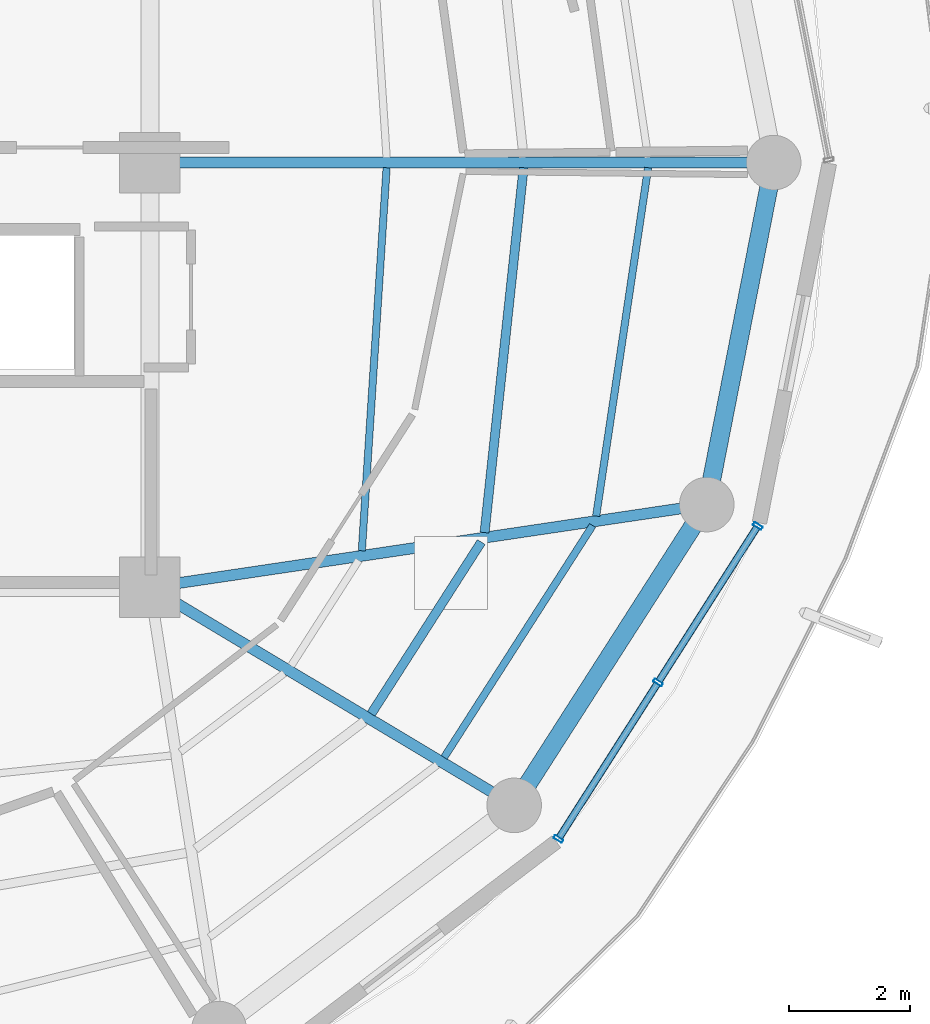
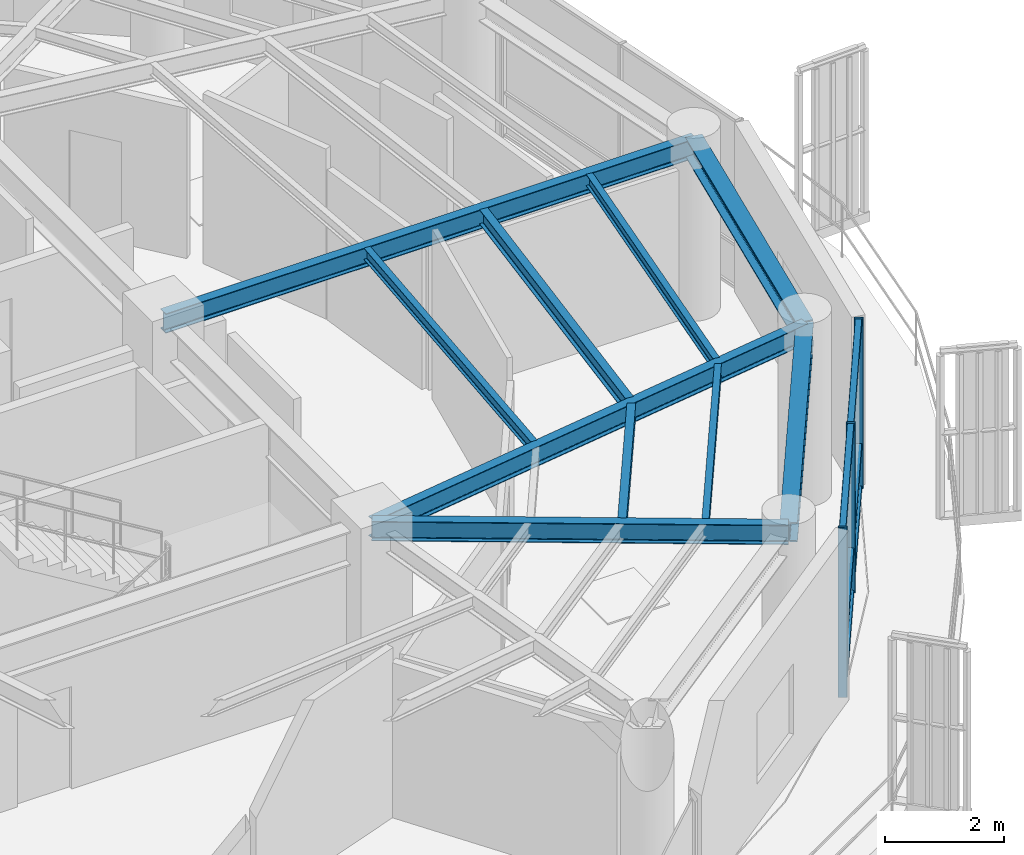
# One storey, part 9 of 22: 10 beams, 9 members, 1 element without a shape of its own.
"""IFC4 building model written with IfcOpenShell, lengths in metres."""

import ifcopenshell
import ifcopenshell.guid

model = None  # the IFC model being written
_history = None  # IfcOwnerHistory: only IFC2X3 demands one
_inside = {}  # id of a spatial element -> (the spatial element, [elements in it])
_under = {}  # id of a project, library or spatial element -> (it, [spatial elements below it])
_declared = {}  # id of a project -> (the project, [libraries it declares])
_typed = {}  # id of a type object -> (the type object, [elements of that type])
_made_of = {}  # id of a material, layer set ... -> (it, [elements and type objects made of it])


def new_model(schema):
    """Start an empty IFC model of exactly this schema.

    Asked for "IFC4X3", IfcOpenShell would pick the latest addendum, in which some entities
    have other attributes; the version numbers below select the first issue.
    IFC2X3 requires an IfcOwnerHistory on every rooted entity: one is made here for all.
    """
    global model, _history
    if schema == "IFC4X3":
        model = ifcopenshell.file(schema_version=(4, 3, 0, 0))
    else:
        model = ifcopenshell.file(schema=schema)
    _inside.clear()
    _under.clear()
    _declared.clear()
    _typed.clear()
    _made_of.clear()
    _history = None
    if model.schema == "IFC2X3":
        org = make("IfcOrganization", Name="unknown")
        user = make(
            "IfcPersonAndOrganization",
            ThePerson=make("IfcPerson", FamilyName="unknown"),
            TheOrganization=org,
        )
        app = make(
            "IfcApplication",
            ApplicationDeveloper=org,
            Version="unknown",
            ApplicationFullName="unknown",
            ApplicationIdentifier="unknown",
        )
        _history = make(
            "IfcOwnerHistory",
            OwningUser=user,
            OwningApplication=app,
            ChangeAction="ADDED",
            CreationDate=0,
        )
    return model


def make(cls, **values):
    """One entity of the class cls with the attributes given. An attribute that is None is left unset."""
    return model.create_entity(
        cls, **{name: value for name, value in values.items() if value is not None}
    )


def rooted(cls, **values):
    """An entity with a GlobalId (a new one), such as an element, a storey or a relation."""
    return make(cls, GlobalId=ifcopenshell.guid.new(), OwnerHistory=_history, **values)


def si_unit(unit_type, name, prefix=None):
    """IfcSIUnit, for example si_unit("LENGTHUNIT", "METRE", prefix="MILLI")."""
    return make("IfcSIUnit", UnitType=unit_type, Prefix=prefix, Name=name)


def assignment(units):
    """IfcUnitAssignment: the units of a project."""
    return None if units is None else make("IfcUnitAssignment", Units=units)


def point(xyz):
    """IfcCartesianPoint."""
    return None if xyz is None else make("IfcCartesianPoint", Coordinates=xyz)


def direction(xyz):
    """IfcDirection."""
    return None if xyz is None else make("IfcDirection", DirectionRatios=xyz)


def frame(location, z_axis=None, x_axis=None):
    """IfcAxis2Placement3D, a coordinate frame: its origin and axes. An axis left out is left unset."""
    return make(
        "IfcAxis2Placement3D",
        Location=point(location),
        Axis=direction(z_axis),
        RefDirection=direction(x_axis),
    )


def frame_2d(location, x_axis=None):
    """IfcAxis2Placement2D, a coordinate frame in the plane: its origin and x axis."""
    return make(
        "IfcAxis2Placement2D", Location=point(location), RefDirection=direction(x_axis)
    )


def origin():
    """The frame at (0, 0, 0) with its axes left unset."""
    return frame((0.0, 0.0, 0.0))


def origin_2d():
    """The frame at (0, 0) in the plane with its x axis left unset."""
    return frame_2d((0.0, 0.0))


def place(relative_to, where):
    """IfcLocalPlacement: puts the frame where relative to a parent placement (None: the world)."""
    return make(
        "IfcLocalPlacement", PlacementRelTo=relative_to, RelativePlacement=where
    )


def context(
    kind, dimensions, precision=None, world=None, true_north=None, identifier=None
):
    """IfcGeometricRepresentationContext, for example the 3D "Model" context."""
    return make(
        "IfcGeometricRepresentationContext",
        ContextIdentifier=identifier,
        ContextType=kind,
        CoordinateSpaceDimension=dimensions,
        Precision=precision,
        WorldCoordinateSystem=world,
        TrueNorth=true_north,
    )


def subcontext(parent, identifier, kind, view, scale=None):
    """IfcGeometricRepresentationSubContext, for example "Body" below "Model"."""
    return make(
        "IfcGeometricRepresentationSubContext",
        ContextIdentifier=identifier,
        ContextType=kind,
        ParentContext=parent,
        TargetScale=scale,
        TargetView=view,
    )


def project(units=None, contexts=None):
    """IfcProject with its units and contexts."""
    return rooted(
        "IfcProject",
        Name="project",
        RepresentationContexts=contexts,
        UnitsInContext=assignment(units),
    )


def spatial(cls, under=None, at=None, **own):
    """A site, building, storey or space (cls), placed at a placement, below another one or the project."""
    s = rooted(cls, ObjectPlacement=at, **own)
    if under is not None:
        _under.setdefault(under.id(), (under, []))[1].append(s)
    return s


def profile(cls, at=None, kind="AREA", **sizes):
    """A parametric profile (cls). Its sizes go by their IFC names, for example OverallWidth=200.0."""
    return make(cls, ProfileType=kind, Position=at, **sizes)


def hollow_rectangle(**sizes):
    """IfcRectangleHollowProfileDef."""
    return profile("IfcRectangleHollowProfileDef", **sizes)


def i_section(**sizes):
    """IfcIShapeProfileDef."""
    return profile("IfcIShapeProfileDef", **sizes)


def extrude(swept, where, along, depth):
    """IfcExtrudedAreaSolid: the profile swept, set in the frame where, extruded along a direction by depth."""
    return make(
        "IfcExtrudedAreaSolid",
        SweptArea=swept,
        Position=where,
        ExtrudedDirection=direction(along),
        Depth=depth,
    )


def shape(context_of_items, identifier, shape_type, items):
    """IfcShapeRepresentation: the items that make up one representation, for example the "Body"."""
    return make(
        "IfcShapeRepresentation",
        ContextOfItems=context_of_items,
        RepresentationIdentifier=identifier,
        RepresentationType=shape_type,
        Items=items,
    )


def material(Name=None, Category=None):
    """IfcMaterial."""
    return make("IfcMaterial", Name=Name, Category=Category)


def layer(
    of_material, thickness, ventilated=None, Name=None, Category=None, Priority=None
):
    """IfcMaterialLayer: one layer of a wall or slab, of a material (None: an air gap)."""
    return make(
        "IfcMaterialLayer",
        Material=of_material,
        LayerThickness=thickness,
        IsVentilated=ventilated,
        Name=Name,
        Category=Category,
        Priority=Priority,
    )


def layer_set(layers, Name=None):
    """IfcMaterialLayerSet."""
    return make("IfcMaterialLayerSet", MaterialLayers=layers, LayerSetName=Name)


def material_profile(
    of_material, cross_section, Name=None, Category=None, Priority=None
):
    """IfcMaterialProfile: a cross section and its material."""
    return make(
        "IfcMaterialProfile",
        Name=Name,
        Material=of_material,
        Profile=cross_section,
        Priority=Priority,
        Category=Category,
    )


def profile_set(profiles, Name=None, composite=None):
    """IfcMaterialProfileSet."""
    return make(
        "IfcMaterialProfileSet",
        Name=Name,
        MaterialProfiles=profiles,
        CompositeProfile=composite,
    )


def made_of(thing, what):
    """Note that an element or type object is made of a material, layer set ...; save() writes the relation."""
    if what is not None:
        _made_of.setdefault(what.id(), (what, []))[1].append(thing)
    return thing


def type_object(cls, material=None, **own):
    """A type object (cls), such as IfcWallType, which elements share."""
    return made_of(rooted(cls, **own), material)


def element(
    cls,
    number,
    at=None,
    inside=None,
    cuts=None,
    type_object=None,
    material=None,
    context=None,
    identifier="Body",
    shape_type=None,
    held_by="IfcProductDefinitionShape",
    body=None,
    shapes=None,
    **own,
):
    """One element of the class cls, such as IfcWall. Its Tag is "e" and its number.

    at: its placement. inside: the storey or other place that contains it. cuts: it is an
    opening in that element (IfcRelVoidsElement). A single representation is given by context,
    identifier, shape_type and body (its items); several are given by shapes. held_by: the class
    of the entity that holds the representations. save() writes the other relations.
    """
    e = rooted(cls, Tag="e%d" % number, ObjectPlacement=at, **own)
    if body is not None:
        shapes = [shape(context, identifier, shape_type, body)]
    if shapes is not None:
        e.Representation = make(held_by, Representations=shapes)
    if inside is not None:
        _inside.setdefault(inside.id(), (inside, []))[1].append(e)
    if cuts is not None:
        rooted(
            "IfcRelVoidsElement", RelatingBuildingElement=cuts, RelatedOpeningElement=e
        )
    if type_object is not None:
        _typed.setdefault(type_object.id(), (type_object, []))[1].append(e)
    return made_of(e, material)


def aggregate(whole, parts):
    """IfcRelAggregates: a whole, such as a stair, and the parts it consists of."""
    return rooted("IfcRelAggregates", RelatingObject=whole, RelatedObjects=parts)


def save(model, path):
    """Write the relations noted so far, then the file.

    IfcRelAggregates (storeys below a building ...), IfcRelContainedInSpatialStructure (elements
    in a storey), IfcRelDefinesByType, IfcRelAssociatesMaterial and IfcRelDeclares: one each for
    every whole, place, type object, material and project.
    """
    for whole, parts in _under.values():
        aggregate(whole, parts)
    for where, things in _inside.values():
        rooted(
            "IfcRelContainedInSpatialStructure",
            RelatedElements=things,
            RelatingStructure=where,
        )
    for kind, things in _typed.values():
        rooted("IfcRelDefinesByType", RelatedObjects=things, RelatingType=kind)
    for what, things in _made_of.values():
        rooted("IfcRelAssociatesMaterial", RelatedObjects=things, RelatingMaterial=what)
    for by, libraries in _declared.values():
        rooted("IfcRelDeclares", RelatingContext=by, RelatedDefinitions=libraries)
    model.write(path)


model = new_model("IFC4")

# Units and contexts
model_context = context("Model", 3, precision=1e-05, world=origin(), true_north=direction((0.0, 1.0)))
body_context = subcontext(model_context, "Body", "Model", "MODEL_VIEW")
ifc_project = project(units=[si_unit("LENGTHUNIT", "METRE"), si_unit("AREAUNIT", "SQUARE_METRE"), si_unit("VOLUMEUNIT", "CUBIC_METRE"), si_unit("PLANEANGLEUNIT", "RADIAN"), si_unit("MASSUNIT", "GRAM", prefix="KILO")], contexts=[model_context])

# Site, building, storey
site_placement = place(None, origin())
site = spatial("IfcSite", under=ifc_project, at=site_placement, CompositionType="ELEMENT")
building_placement = place(site_placement, origin())
building = spatial("IfcBuilding", under=site, at=building_placement, Name="Kelanora Arch Commons", CompositionType="ELEMENT")
storey_placement = place(building_placement, frame((0.0, 0.0, 271.199951171875)))
storey = spatial("IfcBuildingStorey", under=building, at=storey_placement, Name="L69", CompositionType="ELEMENT", Elevation=271.199951171875)

# Beams
ifc_material_1 = material(Name="Steel S355", Category="steel")
ifc_material_profile_1 = material_profile(ifc_material_1, i_section(OverallWidth=0.14990234375, OverallDepth=0.300048828125, WebThickness=0.007080078125, FlangeThickness=0.0107421875, FilletRadius=0.014892578125, at=origin_2d()), Name="IPE300")
ifc_profile_set_1 = profile_set([ifc_material_profile_1], Name="Steel S355")
beam_type_1 = type_object("IfcBeamType", Name="BM-JST-01", PredefinedType="JOIST", material=ifc_profile_set_1)
beam_1_placement = place(storey_placement, frame((85.647705078125, 48.915771484375, 3.340087890625), z_axis=(0.539321586177, 0.842099891155, 0.0), x_axis=(-0.842099891155, 0.539321586177, 0.0)))
element("IfcBeam", 1, at=beam_1_placement, inside=storey, type_object=beam_type_1, Name="Secondary Chord Joist BJB-32 L69", PredefinedType="JOIST", context=body_context, shape_type="SweptSolid", body=[
    extrude(i_section(OverallWidth=0.14990234375, OverallDepth=0.300048828125, WebThickness=0.007080078125, FlangeThickness=0.0107421875, FilletRadius=0.014892578125, at=origin_2d()), origin(), (0.0, 0.0, 1.0), 3.361572265625),
])
beam_2_placement = place(storey_placement, frame((87.515625, 51.902587890625, 3.340087890625), z_axis=(0.106380594087, 0.994325484538, 0.0), x_axis=(-0.994325484538, 0.106380594087, 0.0)))
element("IfcBeam", 2, at=beam_2_placement, inside=storey, type_object=beam_type_1, Name="Secondary Chord Joist BJB-34 L69", PredefinedType="JOIST", context=body_context, shape_type="SweptSolid", body=[
    extrude(i_section(OverallWidth=0.14990234375, OverallDepth=0.300048828125, WebThickness=0.007080078125, FlangeThickness=0.0107421875, FilletRadius=0.014892578125, at=origin_2d()), origin(), (0.0, 0.0, 1.0), 6.04736328125),
])
ifc_material_profile_2 = material_profile(ifc_material_1, i_section(OverallWidth=0.1201171875, OverallDepth=0.239990234375, WebThickness=0.006103515625, FlangeThickness=0.009765625, FilletRadius=0.014892578125, at=origin_2d()), Name="IPE240")
ifc_profile_set_2 = profile_set([ifc_material_profile_2], Name="Steel S355")
beam_type_2 = type_object("IfcBeamType", Name="BM-JST-02", PredefinedType="JOIST", material=ifc_profile_set_2)
beam_3_placement = place(storey_placement, frame((86.848388671875, 48.197021484375, 3.3701171875), z_axis=(0.539288735289, 0.842120929552, 0.0), x_axis=(-0.842120929552, 0.539288735289, 0.0)))
element("IfcBeam", 3, at=beam_3_placement, inside=storey, type_object=beam_type_2, Name="Secondary Chord Joist BJC-32 L69", PredefinedType="JOIST", context=body_context, shape_type="SweptSolid", body=[
    extrude(i_section(OverallWidth=0.1201171875, OverallDepth=0.239990234375, WebThickness=0.006103515625, FlangeThickness=0.009765625, FilletRadius=0.014892578125, at=origin_2d()), origin(), (0.0, 0.0, 1.0), 4.538818359375),
])
beam_4_placement = place(storey_placement, frame((85.492919921875, 51.60302734375, 3.3701171875), z_axis=(0.064495107978, 0.99791802321, 0.0), x_axis=(-0.99791802321, 0.064495107978, 0.0)))
element("IfcBeam", 4, at=beam_4_placement, inside=storey, type_object=beam_type_2, Name="Secondary Chord Joist BJA-34 L69", PredefinedType="JOIST", context=body_context, shape_type="SweptSolid", body=[
    extrude(i_section(OverallWidth=0.1201171875, OverallDepth=0.239990234375, WebThickness=0.006103515625, FlangeThickness=0.009765625, FilletRadius=0.014892578125, at=origin_2d()), origin(), (0.0, 0.0, 1.0), 6.325439453125),
])
beam_5_placement = place(storey_placement, frame((89.3544921875, 52.1748046875, 3.3701171875), z_axis=(0.14762470282, 0.989043450571, 0.0), x_axis=(-0.989043450571, 0.14762470282, 0.0)))
element("IfcBeam", 5, at=beam_5_placement, inside=storey, type_object=beam_type_2, Name="Secondary Chord Joist BJC-34 L69", PredefinedType="JOIST", context=body_context, shape_type="SweptSolid", body=[
    extrude(i_section(OverallWidth=0.1201171875, OverallDepth=0.239990234375, WebThickness=0.006103515625, FlangeThickness=0.009765625, FilletRadius=0.014892578125, at=origin_2d()), origin(), (0.0, 0.0, 1.0), 5.804931640625),
])
ifc_material_profile_3 = material_profile(ifc_material_1, i_section(OverallWidth=0.179931640625, OverallDepth=0.39990234375, WebThickness=0.008544921875, FlangeThickness=0.013427734375, FilletRadius=0.02099609375, at=origin_2d()), Name="IPE400")
ifc_profile_set_3 = profile_set([ifc_material_profile_3], Name="Steel S355")
beam_type_3 = type_object("IfcBeamType", Name="BM-RAD-Z5", PredefinedType="BEAM", material=ifc_profile_set_3)
beam_6_placement = place(storey_placement, frame((82.0, 58.0, 3.2900390625), z_axis=(1.0, 0.0, 0.0), x_axis=(0.0, 1.0, 0.0)))
element("IfcBeam", 6, at=beam_6_placement, inside=storey, type_object=beam_type_3, Name="Radial Floor Girder BR-00 L69", PredefinedType="BEAM", context=body_context, shape_type="SweptSolid", body=[
    extrude(i_section(OverallWidth=0.179931640625, OverallDepth=0.39990234375, WebThickness=0.008544921875, FlangeThickness=0.013427734375, FilletRadius=0.02099609375, at=origin_2d()), origin(), (0.0, 0.0, 1.0), 10.280029296875),
])
beam_7_placement = place(storey_placement, frame((82.0, 51.0, 3.2900390625), z_axis=(0.858062005744, -0.513546097541, 0.0), x_axis=(0.513546097541, 0.858062005744, 0.0)))
element("IfcBeam", 7, at=beam_7_placement, inside=storey, type_object=beam_type_3, Name="Radial Floor Girder BR-32 L69", PredefinedType="BEAM", context=body_context, shape_type="SweptSolid", body=[
    extrude(i_section(OverallWidth=0.179931640625, OverallDepth=0.39990234375, WebThickness=0.008544921875, FlangeThickness=0.013427734375, FilletRadius=0.02099609375, at=origin_2d()), origin(), (0.0, 0.0, 1.0), 6.99658203125),
])
beam_8_placement = place(storey_placement, frame((82.0, 51.0, 3.2900390625), z_axis=(0.989142485564, 0.146959665395, 0.0), x_axis=(-0.146959665395, 0.989142485564, 0.0)))
element("IfcBeam", 8, at=beam_8_placement, inside=storey, type_object=beam_type_3, Name="Radial Floor Girder BR-34 L69", PredefinedType="BEAM", context=body_context, shape_type="SweptSolid", body=[
    extrude(i_section(OverallWidth=0.179931640625, OverallDepth=0.39990234375, WebThickness=0.008544921875, FlangeThickness=0.013427734375, FilletRadius=0.02099609375, at=origin_2d()), origin(), (0.0, 0.0, 1.0), 9.2783203125),
])
ifc_material_profile_4 = material_profile(ifc_material_1, i_section(OverallWidth=0.300048828125, OverallDepth=0.39990234375, WebThickness=0.013427734375, FlangeThickness=0.02392578125, FilletRadius=0.027099609375, at=origin_2d()), Name="HEB400")
ifc_profile_set_4 = profile_set([ifc_material_profile_4], Name="Steel S355")
beam_type_4 = type_object("IfcBeamType", Name="BM-SPN-Z4", PredefinedType="SPANDREL", material=ifc_profile_set_4)
beam_9_placement = place(storey_placement, frame((88.00341796875, 47.406982421875, 3.2900390625), z_axis=(0.539280851353, 0.842125978322, 0.0), x_axis=(-0.842125978322, 0.539280851353, 0.0)))
element("IfcBeam", 9, at=beam_9_placement, inside=storey, type_object=beam_type_4, Name="Perimeter Spandrel Beam BS-32 L69", PredefinedType="SPANDREL", context=body_context, shape_type="SweptSolid", body=[
    extrude(i_section(OverallWidth=0.300048828125, OverallDepth=0.39990234375, WebThickness=0.013427734375, FlangeThickness=0.02392578125, FilletRadius=0.027099609375, at=origin_2d()), origin(), (0.0, 0.0, 1.0), 5.8857421875),
])
beam_10_placement = place(storey_placement, frame((91.177490234375, 52.363525390625, 3.2900390625), z_axis=(0.191969774604, 0.981400838413, 0.0), x_axis=(-0.981400838413, 0.191969774604, 0.0)))
element("IfcBeam", 10, at=beam_10_placement, inside=storey, type_object=beam_type_4, Name="Perimeter Spandrel Beam BS-34 L69", PredefinedType="SPANDREL", context=body_context, shape_type="SweptSolid", body=[
    extrude(i_section(OverallWidth=0.300048828125, OverallDepth=0.39990234375, WebThickness=0.013427734375, FlangeThickness=0.02392578125, FilletRadius=0.027099609375, at=origin_2d()), origin(), (0.0, 0.0, 1.0), 5.743408203125),
])

# Curtain wall, members
ifc_material_2 = material(Name="Terracotta ceramic-fritted low-E glass and aluminium", Category="masonry")
ifc_layer = layer(ifc_material_2, 0.18994140625)
ifc_layer_set = layer_set([ifc_layer], Name="Terracotta ceramic-fritted low-E glass and aluminium")
curtain_wall_type = type_object("IfcCurtainWallType", Name="CW-SYS-03", PredefinedType="NOTDEFINED", material=ifc_layer_set)
curtain_wall_placement = place(storey_placement, origin())
curtain_wall = element("IfcCurtainWall", 11, at=curtain_wall_placement, inside=storey, type_object=curtain_wall_type, Name="Unitised Curtain Wall L69-B16", PredefinedType="NOTDEFINED")
ifc_material_3 = material(Name="Powder-coated aluminium terracotta", Category="masonry")
ifc_material_profile_5 = material_profile(ifc_material_3, hollow_rectangle(XDim=0.159912109375, YDim=0.06005859375, WallThickness=0.0048828125, InnerFilletRadius=0.0048828125, OuterFilletRadius=0.010009765625, at=origin_2d()), Name="CWM160x60")
ifc_profile_set_5 = profile_set([ifc_material_profile_5], Name="Powder-coated aluminium terracotta")
member_type_1 = type_object("IfcMemberType", Name="CWM-STD", PredefinedType="MULLION", material=ifc_profile_set_5)
member_1_placement = place(storey_placement, frame((88.732421875, 46.853515625, 0.0), z_axis=(0.0, 0.0, 1.0), x_axis=(-0.843391314545, 0.537299814397, 0.0)))
member_1 = element("IfcMember", 12, at=member_1_placement, type_object=member_type_1, Name="CW-03 mullion 1", PredefinedType="MULLION", context=body_context, shape_type="SweptSolid", body=[
    extrude(hollow_rectangle(XDim=0.159912109375, YDim=0.06005859375, WallThickness=0.0048828125, InnerFilletRadius=0.0048828125, OuterFilletRadius=0.010009765625, at=origin_2d()), origin(), (0.0, 0.0, 1.0), 3.47509765625),
])
member_2_placement = place(storey_placement, frame((90.375, 49.43212890625, 0.0), z_axis=(0.0, 0.0, 1.0), x_axis=(-0.843391314545, 0.537299814397, 0.0)))
member_2 = element("IfcMember", 13, at=member_2_placement, type_object=member_type_1, Name="CW-03 mullion 2", PredefinedType="MULLION", context=body_context, shape_type="SweptSolid", body=[
    extrude(hollow_rectangle(XDim=0.159912109375, YDim=0.06005859375, WallThickness=0.0048828125, InnerFilletRadius=0.0048828125, OuterFilletRadius=0.010009765625, at=origin_2d()), origin(), (0.0, 0.0, 1.0), 3.47509765625),
])
member_3_placement = place(storey_placement, frame((92.017822265625, 52.0107421875, 0.0), z_axis=(0.0, 0.0, 1.0), x_axis=(-0.843391314545, 0.537299814397, 0.0)))
member_3 = element("IfcMember", 14, at=member_3_placement, type_object=member_type_1, Name="CW-03 mullion 3", PredefinedType="MULLION", context=body_context, shape_type="SweptSolid", body=[
    extrude(hollow_rectangle(XDim=0.159912109375, YDim=0.06005859375, WallThickness=0.0048828125, InnerFilletRadius=0.0048828125, OuterFilletRadius=0.010009765625, at=origin_2d()), origin(), (0.0, 0.0, 1.0), 3.47509765625),
])
ifc_material_profile_6 = material_profile(ifc_material_3, hollow_rectangle(XDim=0.1201171875, YDim=0.06005859375, WallThickness=0.0048828125, InnerFilletRadius=0.0048828125, OuterFilletRadius=0.010009765625, at=origin_2d()), Name="CWT120x60")
ifc_profile_set_6 = profile_set([ifc_material_profile_6], Name="Powder-coated aluminium terracotta")
member_type_2 = type_object("IfcMemberType", Name="CWT-STD", PredefinedType="USERDEFINED", material=ifc_profile_set_6)
member_4_placement = place(storey_placement, frame((88.74853515625, 46.87890625, 0.030029296875), z_axis=(0.537286543791, 0.84339976871, 0.0), x_axis=(-0.84339976871, 0.537286543791, 0.0)))
member_4 = element("IfcMember", 15, at=member_4_placement, type_object=member_type_2, Name="CW-03 transom 1.1", ObjectType="TRANSOM", PredefinedType="USERDEFINED", context=body_context, shape_type="SweptSolid", body=[
    extrude(hollow_rectangle(XDim=0.1201171875, YDim=0.06005859375, WallThickness=0.0048828125, InnerFilletRadius=0.0048828125, OuterFilletRadius=0.010009765625, at=origin_2d()), origin(), (0.0, 0.0, 1.0), 2.997314453125),
])
member_5_placement = place(storey_placement, frame((88.74853515625, 46.87890625, 0.900146484375), z_axis=(0.537286543791, 0.84339976871, 0.0), x_axis=(-0.84339976871, 0.537286543791, 0.0)))
member_5 = element("IfcMember", 16, at=member_5_placement, type_object=member_type_2, Name="CW-03 transom 1.2", ObjectType="TRANSOM", PredefinedType="USERDEFINED", context=body_context, shape_type="SweptSolid", body=[
    extrude(hollow_rectangle(XDim=0.1201171875, YDim=0.06005859375, WallThickness=0.0048828125, InnerFilletRadius=0.0048828125, OuterFilletRadius=0.010009765625, at=origin_2d()), origin(), (0.0, 0.0, 1.0), 2.997314453125),
])
member_6_placement = place(storey_placement, frame((88.74853515625, 46.87890625, 3.445068359375), z_axis=(0.537286543791, 0.84339976871, 0.0), x_axis=(-0.84339976871, 0.537286543791, 0.0)))
member_6 = element("IfcMember", 17, at=member_6_placement, type_object=member_type_2, Name="CW-03 transom 1.3", ObjectType="TRANSOM", PredefinedType="USERDEFINED", context=body_context, shape_type="SweptSolid", body=[
    extrude(hollow_rectangle(XDim=0.1201171875, YDim=0.06005859375, WallThickness=0.0048828125, InnerFilletRadius=0.0048828125, OuterFilletRadius=0.010009765625, at=origin_2d()), origin(), (0.0, 0.0, 1.0), 2.997314453125),
])
member_7_placement = place(storey_placement, frame((90.39111328125, 49.45751953125, 0.030029296875), z_axis=(0.537307571338, 0.843386372775, 0.0), x_axis=(-0.843386372775, 0.537307571338, 0.0)))
member_7 = element("IfcMember", 18, at=member_7_placement, type_object=member_type_2, Name="CW-03 transom 2.1", ObjectType="TRANSOM", PredefinedType="USERDEFINED", context=body_context, shape_type="SweptSolid", body=[
    extrude(hollow_rectangle(XDim=0.1201171875, YDim=0.06005859375, WallThickness=0.0048828125, InnerFilletRadius=0.0048828125, OuterFilletRadius=0.010009765625, at=origin_2d()), origin(), (0.0, 0.0, 1.0), 2.99755859375),
])
member_8_placement = place(storey_placement, frame((90.39111328125, 49.45751953125, 0.900146484375), z_axis=(0.537307571338, 0.843386372775, 0.0), x_axis=(-0.843386372775, 0.537307571338, 0.0)))
member_8 = element("IfcMember", 19, at=member_8_placement, type_object=member_type_2, Name="CW-03 transom 2.2", ObjectType="TRANSOM", PredefinedType="USERDEFINED", context=body_context, shape_type="SweptSolid", body=[
    extrude(hollow_rectangle(XDim=0.1201171875, YDim=0.06005859375, WallThickness=0.0048828125, InnerFilletRadius=0.0048828125, OuterFilletRadius=0.010009765625, at=origin_2d()), origin(), (0.0, 0.0, 1.0), 2.99755859375),
])
member_9_placement = place(storey_placement, frame((90.39111328125, 49.45751953125, 3.445068359375), z_axis=(0.537307571338, 0.843386372775, 0.0), x_axis=(-0.843386372775, 0.537307571338, 0.0)))
member_9 = element("IfcMember", 20, at=member_9_placement, type_object=member_type_2, Name="CW-03 transom 2.3", ObjectType="TRANSOM", PredefinedType="USERDEFINED", context=body_context, shape_type="SweptSolid", body=[
    extrude(hollow_rectangle(XDim=0.1201171875, YDim=0.06005859375, WallThickness=0.0048828125, InnerFilletRadius=0.0048828125, OuterFilletRadius=0.010009765625, at=origin_2d()), origin(), (0.0, 0.0, 1.0), 2.99755859375),
])
aggregate(curtain_wall, [member_1, member_2, member_3, member_4, member_5, member_6, member_7, member_8, member_9])

save(model, "model.ifc")
